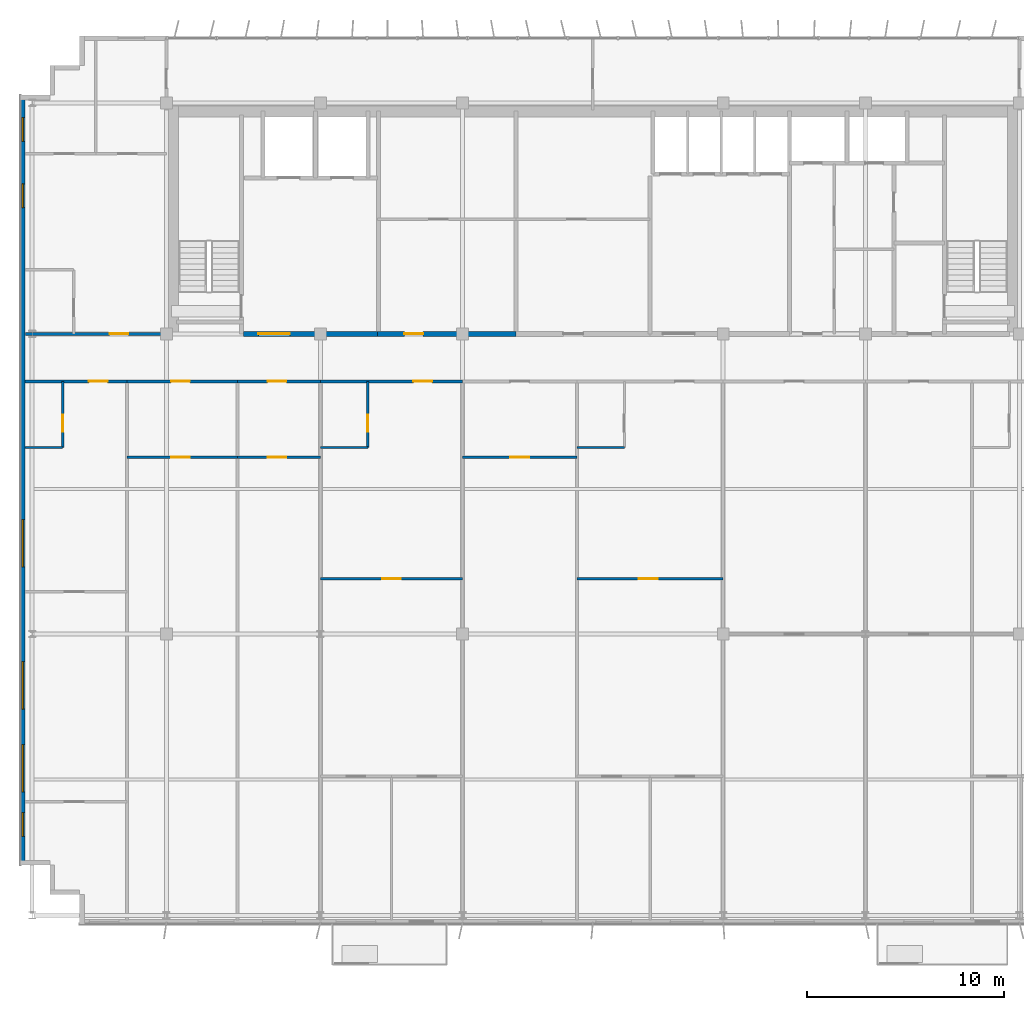
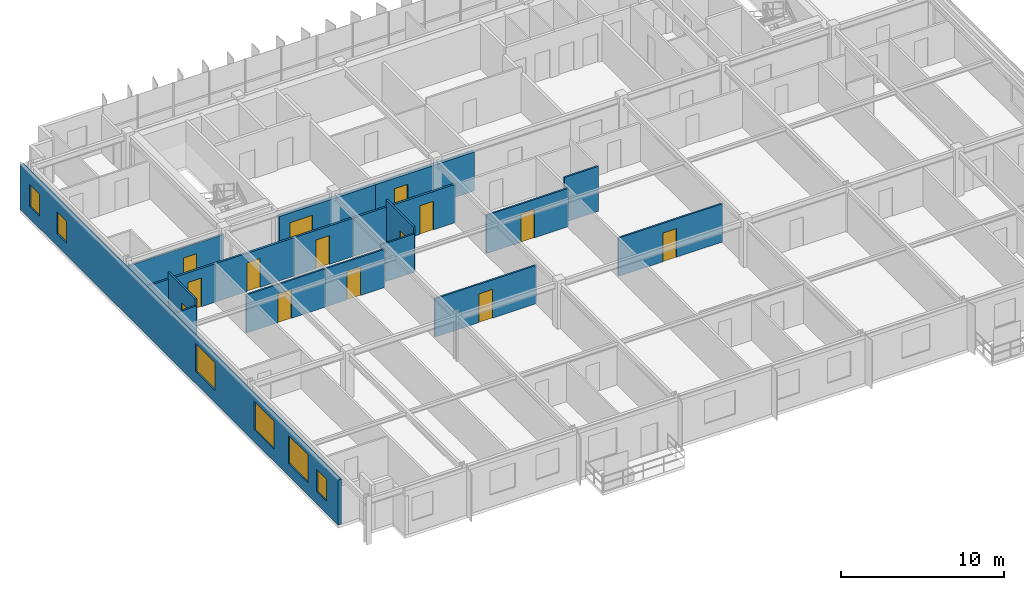
# One storey, part 17 of 23: 18 walls, 14 doors, 6 windows, 20 openings.
"""IFC4 building model written with IfcOpenShell, lengths in metres."""

from ifc_helpers import new_model, si_unit, direction, frame, frame_2d, origin, place, context, subcontext, project, spatial, rectangle, extrude, source, transform, mapped, material, layer, layer_set, type_object, element, fill, save


model = new_model("IFC4")

# Units and contexts
model_context = context("Model", 3, precision=1e-05, world=origin(), true_north=direction((0.0, 1.0)))
body_context = subcontext(model_context, "Body", "Model", "MODEL_VIEW")
ifc_project = project(units=[si_unit("LENGTHUNIT", "METRE"), si_unit("AREAUNIT", "SQUARE_METRE"), si_unit("VOLUMEUNIT", "CUBIC_METRE"), si_unit("PLANEANGLEUNIT", "RADIAN"), si_unit("MASSUNIT", "GRAM", prefix="KILO")], contexts=[model_context])

# Site, building, storey
site_placement = place(None, origin())
site = spatial("IfcSite", under=ifc_project, at=site_placement, CompositionType="ELEMENT")
building_placement = place(site_placement, origin())
building = spatial("IfcBuilding", under=site, at=building_placement, Name="Trelvane Seafront Commons", CompositionType="ELEMENT")
storey_placement = place(building_placement, frame((0.0, 0.0, 266.699951171875)))
storey = spatial("IfcBuildingStorey", under=building, at=storey_placement, Name="L69", CompositionType="ELEMENT", Elevation=266.699951171875)

# Wall, openings, windows
ifc_material_1 = material(Name="Precast concrete C40/50", Category="concrete")
ifc_layer_1 = layer(ifc_material_1, 0.239990234375, Name="ARCH-WALL-EXT240")
ifc_layer_set_1 = layer_set([ifc_layer_1], Name="Precast concrete C40/50")
wall_type_1 = type_object("IfcWallType", Name="ARCH-WALL-EXT240", PredefinedType="SOLIDWALL", material=ifc_layer_set_1)
wall_1_placement = place(storey_placement, frame((8.320068359375, 6.5, 0.0), z_axis=(0.0, 0.0, 1.0), x_axis=(0.0, 1.0, 0.0)))
wall_1 = element("IfcWall", 1, at=wall_1_placement, inside=storey, type_object=wall_type_1, Name="EW-L69-01387", PredefinedType="SOLIDWALL", context=body_context, shape_type="SweptSolid", body=[
    extrude(rectangle(XDim=39.0, YDim=0.239990234375, at=frame_2d((19.5, 0.0))), origin(), (0.0, 0.0, 1.0), 3.3701171875),
])
opening_1_placement = place(wall_1_placement, frame((1.449951171875, 0.0, 0.919921875)))
opening_1 = element("IfcOpeningElement", 2, at=opening_1_placement, cuts=wall_1, Name="Opening W05", PredefinedType="OPENING", context=body_context, shape_type="SweptSolid", body=[
    extrude(rectangle(XDim=1.199951171875, YDim=1.64990234375, at=frame_2d((0.60009765625, 0.824951171875))), frame((0.0, 0.1298828125, 0.0), z_axis=(0.0, -1.0, 0.0), x_axis=(1.0, 0.0, 0.0)), (0.0, 0.0, 1.0), 0.260009765625),
])
opening_2_placement = place(wall_1_placement, frame((3.699951171875, 0.0, 0.919921875)))
opening_2 = element("IfcOpeningElement", 3, at=opening_2_placement, cuts=wall_1, Name="Opening W08", PredefinedType="OPENING", context=body_context, shape_type="SweptSolid", body=[
    extrude(rectangle(XDim=2.39990234375, YDim=2.10009765625, at=frame_2d((1.199951171875, 1.050048828125))), frame((0.0, 0.1298828125, 0.0), z_axis=(0.0, -1.0, 0.0), x_axis=(1.0, 0.0, 0.0)), (0.0, 0.0, 1.0), 0.260009765625),
])
opening_3_placement = place(wall_1_placement, frame((7.89990234375, 0.0, 0.919921875)))
opening_3 = element("IfcOpeningElement", 4, at=opening_3_placement, cuts=wall_1, Name="Opening W08", PredefinedType="OPENING", context=body_context, shape_type="SweptSolid", body=[
    extrude(rectangle(XDim=2.39990234375, YDim=2.10009765625, at=frame_2d((1.199951171875, 1.050048828125))), frame((0.0, 0.1298828125, 0.0), z_axis=(0.0, -1.0, 0.0), x_axis=(1.0, 0.0, 0.0)), (0.0, 0.0, 1.0), 0.260009765625),
])
opening_4_placement = place(wall_1_placement, frame((15.10009765625, 0.0, 0.919921875)))
opening_4 = element("IfcOpeningElement", 5, at=opening_4_placement, cuts=wall_1, Name="Opening W08", PredefinedType="OPENING", context=body_context, shape_type="SweptSolid", body=[
    extrude(rectangle(XDim=2.39990234375, YDim=2.10009765625, at=frame_2d((1.199951171875, 1.050048828125))), frame((0.0, 0.1298828125, 0.0), z_axis=(0.0, -1.0, 0.0), x_axis=(1.0, 0.0, 0.0)), (0.0, 0.0, 1.0), 0.260009765625),
])
opening_5_placement = place(wall_1_placement, frame((33.300048828125, 0.0, 0.919921875)))
opening_5 = element("IfcOpeningElement", 6, at=opening_5_placement, cuts=wall_1, Name="Opening W05", PredefinedType="OPENING", context=body_context, shape_type="SweptSolid", body=[
    extrude(rectangle(XDim=1.199951171875, YDim=1.64990234375, at=frame_2d((0.60009765625, 0.824951171875))), frame((0.0, 0.1298828125, 0.0), z_axis=(0.0, -1.0, 0.0), x_axis=(1.0, 0.0, 0.0)), (0.0, 0.0, 1.0), 0.260009765625),
])
opening_6_placement = place(wall_1_placement, frame((36.64990234375, 0.0, 0.919921875)))
opening_6 = element("IfcOpeningElement", 7, at=opening_6_placement, cuts=wall_1, Name="Opening W05", PredefinedType="OPENING", context=body_context, shape_type="SweptSolid", body=[
    extrude(rectangle(XDim=1.199951171875, YDim=1.64990234375, at=frame_2d((0.60009765625, 0.824951171875))), frame((0.0, 0.1298828125, 0.0), z_axis=(0.0, -1.0, 0.0), x_axis=(1.0, 0.0, 0.0)), (0.0, 0.0, 1.0), 0.260009765625),
])
ifc_material_2 = material(Name="Low-E coastal double glazing", Category="glass")
window_type_1 = type_object("IfcWindowType", Name="ARCH-WIN-W08", PartitioningType="SINGLE_PANEL", PredefinedType="WINDOW", material=ifc_material_2)
shared_shape_1 = source(origin(), body_context, "Body", "SweptSolid", [
    extrude(rectangle(XDim=2.39990234375, YDim=2.10009765625, at=frame_2d((1.199951171875, 1.050048828125))), frame((0.0, 0.030029296875, 0.0), z_axis=(0.0, -1.0, 0.0), x_axis=(1.0, 0.0, 0.0)), (0.0, 0.0, 1.0), 0.06005859375),
])
window_1_placement = place(opening_2_placement, origin())
window_1 = element("IfcWindow", 8, at=window_1_placement, inside=storey, type_object=window_type_1, Name="WIN-L69-EW-01649", OverallHeight=2.10009765625, OverallWidth=2.39990234375, PartitioningType="SINGLE_PANEL", PredefinedType="WINDOW", context=body_context, shape_type="MappedRepresentation", body=[
    mapped(shared_shape_1, transform((0.0, 0.0, 0.0), x_axis=(1.0, 0.0, 0.0), y_axis=(0.0, 1.0, 0.0), z_axis=(0.0, 0.0, 1.0), scale=1.0)),
])
fill(opening_2, window_1)
window_2_placement = place(opening_3_placement, origin())
window_2 = element("IfcWindow", 9, at=window_2_placement, inside=storey, type_object=window_type_1, Name="WIN-L69-EW-01650", OverallHeight=2.10009765625, OverallWidth=2.39990234375, PartitioningType="SINGLE_PANEL", PredefinedType="WINDOW", context=body_context, shape_type="MappedRepresentation", body=[
    mapped(shared_shape_1, transform((0.0, 0.0, 0.0), x_axis=(1.0, 0.0, 0.0), y_axis=(0.0, 1.0, 0.0), z_axis=(0.0, 0.0, 1.0), scale=1.0)),
])
fill(opening_3, window_2)
window_3_placement = place(opening_4_placement, origin())
window_3 = element("IfcWindow", 10, at=window_3_placement, inside=storey, type_object=window_type_1, Name="WIN-L69-EW-01651", OverallHeight=2.10009765625, OverallWidth=2.39990234375, PartitioningType="SINGLE_PANEL", PredefinedType="WINDOW", context=body_context, shape_type="MappedRepresentation", body=[
    mapped(shared_shape_1, transform((0.0, 0.0, 0.0), x_axis=(1.0, 0.0, 0.0), y_axis=(0.0, 1.0, 0.0), z_axis=(0.0, 0.0, 1.0), scale=1.0)),
])
fill(opening_4, window_3)
window_type_2 = type_object("IfcWindowType", Name="ARCH-WIN-W05", PartitioningType="SINGLE_PANEL", PredefinedType="WINDOW", material=ifc_material_2)
shared_shape_2 = source(origin(), body_context, "Body", "SweptSolid", [
    extrude(rectangle(XDim=1.199951171875, YDim=1.64990234375, at=frame_2d((0.60009765625, 0.824951171875))), frame((0.0, 0.030029296875, 0.0), z_axis=(0.0, -1.0, 0.0), x_axis=(1.0, 0.0, 0.0)), (0.0, 0.0, 1.0), 0.06005859375),
])
window_4_placement = place(opening_1_placement, origin())
window_4 = element("IfcWindow", 11, at=window_4_placement, inside=storey, type_object=window_type_2, Name="WIN-L69-EW-01648", OverallHeight=1.64990234375, OverallWidth=1.199951171875, PartitioningType="SINGLE_PANEL", PredefinedType="WINDOW", context=body_context, shape_type="MappedRepresentation", body=[
    mapped(shared_shape_2, transform((0.0, 0.0, 0.0), x_axis=(1.0, 0.0, 0.0), y_axis=(0.0, 1.0, 0.0), z_axis=(0.0, 0.0, 1.0), scale=1.0)),
])
fill(opening_1, window_4)
window_5_placement = place(opening_5_placement, origin())
window_5 = element("IfcWindow", 12, at=window_5_placement, inside=storey, type_object=window_type_2, Name="WIN-L69-EW-01652", OverallHeight=1.64990234375, OverallWidth=1.199951171875, PartitioningType="SINGLE_PANEL", PredefinedType="WINDOW", context=body_context, shape_type="MappedRepresentation", body=[
    mapped(shared_shape_2, transform((0.0, 0.0, 0.0), x_axis=(1.0, 0.0, 0.0), y_axis=(0.0, 1.0, 0.0), z_axis=(0.0, 0.0, 1.0), scale=1.0)),
])
fill(opening_5, window_5)
window_6_placement = place(opening_6_placement, origin())
window_6 = element("IfcWindow", 13, at=window_6_placement, inside=storey, type_object=window_type_2, Name="WIN-L69-EW-01653", OverallHeight=1.64990234375, OverallWidth=1.199951171875, PartitioningType="SINGLE_PANEL", PredefinedType="WINDOW", context=body_context, shape_type="MappedRepresentation", body=[
    mapped(shared_shape_2, transform((0.0, 0.0, 0.0), x_axis=(1.0, 0.0, 0.0), y_axis=(0.0, 1.0, 0.0), z_axis=(0.0, 0.0, 1.0), scale=1.0)),
])
fill(opening_6, window_6)

# Wall, opening, door
ifc_material_3 = material(Name="Concrete C40/50", Category="concrete")
ifc_layer_2 = layer(ifc_material_3, 0.25, Name="ARCH-WALL-FIRE250")
ifc_layer_set_2 = layer_set([ifc_layer_2], Name="Concrete C40/50")
wall_type_2 = type_object("IfcWallType", Name="ARCH-WALL-FIRE250", PredefinedType="PARTITIONING", material=ifc_layer_set_2)
wall_2_placement = place(storey_placement, frame((19.5, 33.39990234375, 0.0), z_axis=(0.0, 0.0, 1.0), x_axis=(1.0, 0.0, 0.0)))
wall_2 = element("IfcWall", 14, at=wall_2_placement, inside=storey, type_object=wall_type_2, Name="W-L69-CS-FFL-013", PredefinedType="PARTITIONING", context=body_context, shape_type="SweptSolid", body=[
    extrude(rectangle(XDim=6.800048828125, YDim=0.25, at=frame_2d((3.39990234375, 0.0))), origin(), (0.0, 0.0, 1.0), 2.920166015625),
])
opening_7_placement = place(wall_2_placement, frame((0.75, 0.0, 0.0)))
opening_7 = element("IfcOpeningElement", 15, at=opening_7_placement, cuts=wall_2, Name="Opening FD-L69-05", PredefinedType="OPENING", context=body_context, shape_type="SweptSolid", body=[
    extrude(rectangle(XDim=1.60009765625, YDim=2.199951171875, at=frame_2d((0.800048828125, 1.10009765625))), frame((0.0, 0.135009765625, 0.0), z_axis=(0.0, -1.0, 0.0), x_axis=(1.0, 0.0, 0.0)), (0.0, 0.0, 1.0), 0.27001953125),
])
ifc_material_4 = material(Name="Powder-coated aluminium frame", Category="aluminium")
door_type_1 = type_object("IfcDoorType", Name="ARCH-DR-FD60-1600", OperationType="DOUBLE_DOOR_SINGLE_SWING", PredefinedType="DOOR", material=ifc_material_4)
shared_shape_3 = source(origin(), body_context, "Body", "SweptSolid", [
    extrude(rectangle(XDim=1.60009765625, YDim=2.199951171875, at=frame_2d((0.800048828125, 1.10009765625))), frame((0.0, 0.02490234375, 0.0), z_axis=(0.0, -1.0, 0.0), x_axis=(1.0, 0.0, 0.0)), (0.0, 0.0, 1.0), 0.050048828125),
])
door_1_placement = place(opening_7_placement, origin())
door_1 = element("IfcDoor", 16, at=door_1_placement, inside=storey, type_object=door_type_1, Name="L69 Firefighting Lift Lobby Double Fire Door", OperationType="DOUBLE_DOOR_SINGLE_SWING", OverallHeight=2.199951171875, OverallWidth=1.60009765625, PredefinedType="DOOR", context=body_context, shape_type="MappedRepresentation", body=[
    mapped(shared_shape_3, transform((0.0, 0.0, 0.0), x_axis=(1.0, 0.0, 0.0), y_axis=(0.0, 1.0, 0.0), z_axis=(0.0, 0.0, 1.0), scale=1.0)),
])
fill(opening_7, door_1)

wall_3_placement = place(storey_placement, frame((26.300048828125, 33.39990234375, 0.0), z_axis=(0.0, 0.0, 1.0), x_axis=(1.0, 0.0, 0.0)))
wall_3 = element("IfcWall", 17, at=wall_3_placement, inside=storey, type_object=wall_type_2, Name="W-L69-CS-FPL-024", PredefinedType="PARTITIONING", context=body_context, shape_type="SweptSolid", body=[
    extrude(rectangle(XDim=7.0, YDim=0.25, at=frame_2d((3.5, 0.0))), origin(), (0.0, 0.0, 1.0), 2.920166015625),
])
opening_8_placement = place(wall_3_placement, frame((1.35009765625, 0.0, 0.0)))
opening_8 = element("IfcOpeningElement", 18, at=opening_8_placement, cuts=wall_3, Name="Opening D-L69-12", PredefinedType="OPENING", context=body_context, shape_type="SweptSolid", body=[
    extrude(rectangle(XDim=0.949951171875, YDim=2.14990234375, at=frame_2d((0.47509765625, 1.074951171875))), frame((0.0, 0.135009765625, 0.0), z_axis=(0.0, -1.0, 0.0), x_axis=(1.0, 0.0, 0.0)), (0.0, 0.0, 1.0), 0.27001953125),
])
ifc_material_5 = material(Name="Acoustic timber door leaf", Category="wood")
door_type_2 = type_object("IfcDoorType", Name="ARCH-DR-INT950", OperationType="NOTDEFINED", PredefinedType="DOOR", material=ifc_material_5)
shared_shape_4 = source(origin(), body_context, "Body", "SweptSolid", [
    extrude(rectangle(XDim=0.949951171875, YDim=2.14990234375, at=frame_2d((0.47509765625, 1.074951171875))), frame((0.0, 0.02490234375, 0.0), z_axis=(0.0, -1.0, 0.0), x_axis=(1.0, 0.0, 0.0)), (0.0, 0.0, 1.0), 0.050048828125),
])
door_2_placement = place(opening_8_placement, origin())
door_2 = element("IfcDoor", 19, at=door_2_placement, inside=storey, type_object=door_type_2, Name="L69 Floor Pantry Entrance Door", OperationType="SINGLE_SWING_RIGHT", OverallHeight=2.14990234375, OverallWidth=0.949951171875, PredefinedType="DOOR", context=body_context, shape_type="MappedRepresentation", body=[
    mapped(shared_shape_4, transform((0.0, 0.0, 0.0), x_axis=(1.0, 0.0, 0.0), y_axis=(0.0, 1.0, 0.0), z_axis=(0.0, 0.0, 1.0), scale=1.0)),
])
fill(opening_8, door_2)

ifc_material_6 = material(Name="Gypsum Drywall Acoustic Partition")
ifc_layer_3 = layer(ifc_material_6, 0.1201171875, Name="ARCH-WALL-PART120")
ifc_layer_set_3 = layer_set([ifc_layer_3], Name="Gypsum Drywall Acoustic Partition")
wall_type_3 = type_object("IfcWallType", Name="ARCH-WALL-PART120", PredefinedType="PARTITIONING", material=ifc_layer_set_3)
wall_4_placement = place(storey_placement, frame((10.340087890625, 27.64990234375, 0.0), z_axis=(0.0, 0.0, 1.0), x_axis=(0.0, 1.0, 0.0)))
wall_4 = element("IfcWall", 20, at=wall_4_placement, inside=storey, type_object=wall_type_3, Name="W-L69-U1-BE-055", PredefinedType="PARTITIONING", context=body_context, shape_type="SweptSolid", body=[
    extrude(rectangle(XDim=3.35009765625, YDim=0.1201171875, at=frame_2d((1.675048828125, 0.0))), origin(), (0.0, 0.0, 1.0), 3.3701171875),
])
opening_9_placement = place(wall_4_placement, frame((0.800048828125, 0.0, 0.0)))
opening_9 = element("IfcOpeningElement", 21, at=opening_9_placement, cuts=wall_4, Name="Opening D-L69-31", PredefinedType="OPENING", context=body_context, shape_type="SweptSolid", body=[
    extrude(rectangle(XDim=0.85009765625, YDim=2.10009765625, at=frame_2d((0.425048828125, 1.050048828125))), frame((0.0, 0.070068359375, 0.0), z_axis=(0.0, -1.0, 0.0), x_axis=(1.0, 0.0, 0.0)), (0.0, 0.0, 1.0), 0.14013671875),
])
door_type_3 = type_object("IfcDoorType", Name="ARCH-DR-INT850", OperationType="NOTDEFINED", PredefinedType="DOOR", material=ifc_material_5)
shared_shape_5 = source(origin(), body_context, "Body", "SweptSolid", [
    extrude(rectangle(XDim=0.85009765625, YDim=2.10009765625, at=frame_2d((0.425048828125, 1.050048828125))), frame((0.0, 0.02490234375, 0.0), z_axis=(0.0, -1.0, 0.0), x_axis=(1.0, 0.0, 0.0)), (0.0, 0.0, 1.0), 0.050048828125),
])
door_3_placement = place(opening_9_placement, origin())
door_3 = element("IfcDoor", 22, at=door_3_placement, inside=storey, type_object=door_type_3, Name="L69 Door 31", OperationType="SINGLE_SWING_LEFT", OverallHeight=2.10009765625, OverallWidth=0.85009765625, PredefinedType="DOOR", context=body_context, shape_type="MappedRepresentation", body=[
    mapped(shared_shape_5, transform((0.0, 0.0, 0.0), x_axis=(1.0, 0.0, 0.0), y_axis=(0.0, 1.0, 0.0), z_axis=(0.0, 0.0, 1.0), scale=1.0)),
])
fill(opening_9, door_3)

# Wall
wall_5_placement = place(storey_placement, frame((8.43994140625, 27.64990234375, 0.0), z_axis=(0.0, 0.0, 1.0), x_axis=(1.0, 0.0, 0.0)))
element("IfcWall", 23, at=wall_5_placement, inside=storey, type_object=wall_type_3, Name="W-L69-U1-BS-056", PredefinedType="PARTITIONING", context=body_context, shape_type="SweptSolid", body=[
    extrude(rectangle(XDim=1.900146484375, YDim=0.1201171875, at=frame_2d((0.9501953125, 0.0))), origin(), (0.0, 0.0, 1.0), 2.8701171875),
])

# Wall, opening, door
wall_6_placement = place(storey_placement, frame((13.60009765625, 27.14990234375, 0.0), z_axis=(0.0, 0.0, 1.0), x_axis=(1.0, 0.0, 0.0)))
wall_6 = element("IfcWall", 24, at=wall_6_placement, inside=storey, type_object=wall_type_3, Name="W-L69-U2-DIV-060", PredefinedType="PARTITIONING", context=body_context, shape_type="SweptSolid", body=[
    extrude(rectangle(XDim=5.599853515625, YDim=0.1201171875, at=frame_2d((2.7998046875, 0.0))), origin(), (0.0, 0.0, 1.0), 2.8701171875),
])
opening_10_placement = place(wall_6_placement, frame((2.23193359375, 0.0, 0.0)))
opening_10 = element("IfcOpeningElement", 25, at=opening_10_placement, cuts=wall_6, Name="Opening D-L69-35", PredefinedType="OPENING", context=body_context, shape_type="SweptSolid", body=[
    extrude(rectangle(XDim=0.949951171875, YDim=2.14990234375, at=frame_2d((0.47509765625, 1.074951171875))), frame((0.0, 0.070068359375, 0.0), z_axis=(0.0, -1.0, 0.0), x_axis=(1.0, 0.0, 0.0)), (0.0, 0.0, 1.0), 0.14013671875),
])
door_4_placement = place(opening_10_placement, origin())
door_4 = element("IfcDoor", 26, at=door_4_placement, inside=storey, type_object=door_type_2, Name="L69 Door 35", OperationType="SINGLE_SWING_LEFT", OverallHeight=2.14990234375, OverallWidth=0.949951171875, PredefinedType="DOOR", context=body_context, shape_type="MappedRepresentation", body=[
    mapped(shared_shape_4, transform((0.0, 0.0, 0.0), x_axis=(1.0, 0.0, 0.0), y_axis=(0.0, 1.0, 0.0), z_axis=(0.0, 0.0, 1.0), scale=1.0)),
])
fill(opening_10, door_4)

wall_7_placement = place(storey_placement, frame((19.199951171875, 27.14990234375, 0.0), z_axis=(0.0, 0.0, 1.0), x_axis=(1.0, 0.0, 0.0)))
wall_7 = element("IfcWall", 27, at=wall_7_placement, inside=storey, type_object=wall_type_3, Name="W-L69-U3-DIV-062", PredefinedType="PARTITIONING", context=body_context, shape_type="SweptSolid", body=[
    extrude(rectangle(XDim=4.199951171875, YDim=0.1201171875, at=frame_2d((2.10009765625, 0.0))), origin(), (0.0, 0.0, 1.0), 2.8701171875),
])
opening_11_placement = place(wall_7_placement, frame((1.529052734375, 0.0, 0.0)))
opening_11 = element("IfcOpeningElement", 28, at=opening_11_placement, cuts=wall_7, Name="Opening D-L69-37", PredefinedType="OPENING", context=body_context, shape_type="SweptSolid", body=[
    extrude(rectangle(XDim=0.949951171875, YDim=2.14990234375, at=frame_2d((0.47509765625, 1.074951171875))), frame((0.0, 0.070068359375, 0.0), z_axis=(0.0, -1.0, 0.0), x_axis=(1.0, 0.0, 0.0)), (0.0, 0.0, 1.0), 0.14013671875),
])
door_5_placement = place(opening_11_placement, origin())
door_5 = element("IfcDoor", 29, at=door_5_placement, inside=storey, type_object=door_type_2, Name="L69 Door 37", OperationType="SINGLE_SWING_LEFT", OverallHeight=2.14990234375, OverallWidth=0.949951171875, PredefinedType="DOOR", context=body_context, shape_type="MappedRepresentation", body=[
    mapped(shared_shape_4, transform((0.0, 0.0, 0.0), x_axis=(1.0, 0.0, 0.0), y_axis=(0.0, 1.0, 0.0), z_axis=(0.0, 0.0, 1.0), scale=1.0)),
])
fill(opening_11, door_5)

wall_8_placement = place(storey_placement, frame((23.39990234375, 21.0, 0.0), z_axis=(0.0, 0.0, 1.0), x_axis=(1.0, 0.0, 0.0)))
wall_8 = element("IfcWall", 30, at=wall_8_placement, inside=storey, type_object=wall_type_3, Name="W-L69-U4-KL-063", PredefinedType="PARTITIONING", context=body_context, shape_type="SweptSolid", body=[
    extrude(rectangle(XDim=7.2001953125, YDim=0.1201171875, at=frame_2d((3.60009765625, 0.0))), origin(), (0.0, 0.0, 1.0), 2.8701171875),
])
opening_12_placement = place(wall_8_placement, frame((3.125, 0.0, 0.0)))
opening_12 = element("IfcOpeningElement", 31, at=opening_12_placement, cuts=wall_8, Name="Opening D-L69-38", PredefinedType="OPENING", context=body_context, shape_type="SweptSolid", body=[
    extrude(rectangle(XDim=0.949951171875, YDim=2.14990234375, at=frame_2d((0.47509765625, 1.074951171875))), frame((0.0, 0.070068359375, 0.0), z_axis=(0.0, -1.0, 0.0), x_axis=(1.0, 0.0, 0.0)), (0.0, 0.0, 1.0), 0.14013671875),
])
door_6_placement = place(opening_12_placement, origin())
door_6 = element("IfcDoor", 32, at=door_6_placement, inside=storey, type_object=door_type_2, Name="L69 Door 38", OperationType="SINGLE_SWING_RIGHT", OverallHeight=2.14990234375, OverallWidth=0.949951171875, PredefinedType="DOOR", context=body_context, shape_type="MappedRepresentation", body=[
    mapped(shared_shape_4, transform((0.0, 0.0, 0.0), x_axis=(1.0, 0.0, 0.0), y_axis=(0.0, 1.0, 0.0), z_axis=(0.0, 0.0, 1.0), scale=1.0)),
])
fill(opening_12, door_6)

wall_9_placement = place(storey_placement, frame((25.800048828125, 27.64990234375, 0.0), z_axis=(0.0, 0.0, 1.0), x_axis=(0.0, 1.0, 0.0)))
wall_9 = element("IfcWall", 33, at=wall_9_placement, inside=storey, type_object=wall_type_3, Name="W-L69-U4-BE-064", PredefinedType="PARTITIONING", context=body_context, shape_type="SweptSolid", body=[
    extrude(rectangle(XDim=3.35009765625, YDim=0.1201171875, at=frame_2d((1.675048828125, 0.0))), origin(), (0.0, 0.0, 1.0), 3.3701171875),
])
opening_13_placement = place(wall_9_placement, frame((0.800048828125, 0.0, 0.0)))
opening_13 = element("IfcOpeningElement", 34, at=opening_13_placement, cuts=wall_9, Name="Opening D-L69-39", PredefinedType="OPENING", context=body_context, shape_type="SweptSolid", body=[
    extrude(rectangle(XDim=0.85009765625, YDim=2.10009765625, at=frame_2d((0.425048828125, 1.050048828125))), frame((0.0, 0.070068359375, 0.0), z_axis=(0.0, -1.0, 0.0), x_axis=(1.0, 0.0, 0.0)), (0.0, 0.0, 1.0), 0.14013671875),
])
door_7_placement = place(opening_13_placement, origin())
door_7 = element("IfcDoor", 35, at=door_7_placement, inside=storey, type_object=door_type_3, Name="L69 Door 39", OperationType="SINGLE_SWING_LEFT", OverallHeight=2.10009765625, OverallWidth=0.85009765625, PredefinedType="DOOR", context=body_context, shape_type="MappedRepresentation", body=[
    mapped(shared_shape_5, transform((0.0, 0.0, 0.0), x_axis=(1.0, 0.0, 0.0), y_axis=(0.0, 1.0, 0.0), z_axis=(0.0, 0.0, 1.0), scale=1.0)),
])
fill(opening_13, door_7)

# Wall
wall_10_placement = place(storey_placement, frame((23.39990234375, 27.64990234375, 0.0), z_axis=(0.0, 0.0, 1.0), x_axis=(1.0, 0.0, 0.0)))
element("IfcWall", 36, at=wall_10_placement, inside=storey, type_object=wall_type_3, Name="W-L69-U4-BS-065", PredefinedType="PARTITIONING", context=body_context, shape_type="SweptSolid", body=[
    extrude(rectangle(XDim=2.400146484375, YDim=0.1201171875, at=frame_2d((1.2001953125, 0.0))), origin(), (0.0, 0.0, 1.0), 2.8701171875),
])

# Wall, opening, door
wall_11_placement = place(storey_placement, frame((30.60009765625, 27.14990234375, 0.0), z_axis=(0.0, 0.0, 1.0), x_axis=(1.0, 0.0, 0.0)))
wall_11 = element("IfcWall", 37, at=wall_11_placement, inside=storey, type_object=wall_type_3, Name="W-L69-U5-DIV-071", PredefinedType="PARTITIONING", context=body_context, shape_type="SweptSolid", body=[
    extrude(rectangle(XDim=5.7998046875, YDim=0.1201171875, at=frame_2d((2.89990234375, 0.0))), origin(), (0.0, 0.0, 1.0), 2.8701171875),
])
opening_14_placement = place(wall_11_placement, frame((2.425048828125, 0.0, 0.0)))
opening_14 = element("IfcOpeningElement", 38, at=opening_14_placement, cuts=wall_11, Name="Opening D-L69-44", PredefinedType="OPENING", context=body_context, shape_type="SweptSolid", body=[
    extrude(rectangle(XDim=0.949951171875, YDim=2.14990234375, at=frame_2d((0.47509765625, 1.074951171875))), frame((0.0, 0.070068359375, 0.0), z_axis=(0.0, -1.0, 0.0), x_axis=(1.0, 0.0, 0.0)), (0.0, 0.0, 1.0), 0.14013671875),
])
door_8_placement = place(opening_14_placement, origin())
door_8 = element("IfcDoor", 39, at=door_8_placement, inside=storey, type_object=door_type_2, Name="L69 Door 44", OperationType="SINGLE_SWING_RIGHT", OverallHeight=2.14990234375, OverallWidth=0.949951171875, PredefinedType="DOOR", context=body_context, shape_type="MappedRepresentation", body=[
    mapped(shared_shape_4, transform((0.0, 0.0, 0.0), x_axis=(1.0, 0.0, 0.0), y_axis=(0.0, 1.0, 0.0), z_axis=(0.0, 0.0, 1.0), scale=1.0)),
])
fill(opening_14, door_8)

wall_12_placement = place(storey_placement, frame((36.39990234375, 21.0, 0.0), z_axis=(0.0, 0.0, 1.0), x_axis=(1.0, 0.0, 0.0)))
wall_12 = element("IfcWall", 40, at=wall_12_placement, inside=storey, type_object=wall_type_3, Name="W-L69-U6-KL-072", PredefinedType="PARTITIONING", context=body_context, shape_type="SweptSolid", body=[
    extrude(rectangle(XDim=7.400146484375, YDim=0.1201171875, at=frame_2d((3.7001953125, 0.0))), origin(), (0.0, 0.0, 1.0), 2.8701171875),
])
opening_15_placement = place(wall_12_placement, frame((3.133056640625, 0.0, 0.0)))
opening_15 = element("IfcOpeningElement", 41, at=opening_15_placement, cuts=wall_12, Name="Opening D-L69-45", PredefinedType="OPENING", context=body_context, shape_type="SweptSolid", body=[
    extrude(rectangle(XDim=0.949951171875, YDim=2.14990234375, at=frame_2d((0.47509765625, 1.074951171875))), frame((0.0, 0.070068359375, 0.0), z_axis=(0.0, -1.0, 0.0), x_axis=(1.0, 0.0, 0.0)), (0.0, 0.0, 1.0), 0.14013671875),
])
door_9_placement = place(opening_15_placement, origin())
door_9 = element("IfcDoor", 42, at=door_9_placement, inside=storey, type_object=door_type_2, Name="L69 Door 45", OperationType="SINGLE_SWING_LEFT", OverallHeight=2.14990234375, OverallWidth=0.949951171875, PredefinedType="DOOR", context=body_context, shape_type="MappedRepresentation", body=[
    mapped(shared_shape_4, transform((0.0, 0.0, 0.0), x_axis=(1.0, 0.0, 0.0), y_axis=(0.0, 1.0, 0.0), z_axis=(0.0, 0.0, 1.0), scale=1.0)),
])
fill(opening_15, door_9)

# Wall
wall_13_placement = place(storey_placement, frame((36.39990234375, 27.64990234375, 0.0), z_axis=(0.0, 0.0, 1.0), x_axis=(1.0, 0.0, 0.0)))
element("IfcWall", 43, at=wall_13_placement, inside=storey, type_object=wall_type_3, Name="W-L69-U6-BS-074", PredefinedType="PARTITIONING", context=body_context, shape_type="SweptSolid", body=[
    extrude(rectangle(XDim=2.400146484375, YDim=0.1201171875, at=frame_2d((1.2001953125, 0.0))), origin(), (0.0, 0.0, 1.0), 3.3701171875),
])

# Wall, opening, door
ifc_layer_4 = layer(ifc_material_6, 0.14990234375, Name="ARCH-WALL-PART150")
ifc_layer_set_4 = layer_set([ifc_layer_4], Name="Gypsum Drywall Acoustic Partition")
wall_type_4 = type_object("IfcWallType", Name="ARCH-WALL-PART150", PredefinedType="PARTITIONING", material=ifc_layer_set_4)
wall_14_placement = place(storey_placement, frame((8.449951171875, 33.39990234375, 0.0), z_axis=(0.0, 0.0, 1.0), x_axis=(1.0, 0.0, 0.0)))
wall_14 = element("IfcWall", 44, at=wall_14_placement, inside=storey, type_object=wall_type_4, Name="W-L69-NW-ENT-040", PredefinedType="PARTITIONING", context=body_context, shape_type="SweptSolid", body=[
    extrude(rectangle(XDim=7.150146484375, YDim=0.14990234375, at=frame_2d((3.5751953125, 0.0))), origin(), (0.0, 0.0, 1.0), 2.920166015625),
])
opening_16_placement = place(wall_14_placement, frame((4.27001953125, 0.0, 0.0)))
opening_16 = element("IfcOpeningElement", 45, at=opening_16_placement, cuts=wall_14, Name="Opening FD-L69-25", PredefinedType="OPENING", context=body_context, shape_type="SweptSolid", body=[
    extrude(rectangle(XDim=0.949951171875, YDim=2.14990234375, at=frame_2d((0.47509765625, 1.074951171875))), frame((0.0, 0.0849609375, 0.0), z_axis=(0.0, -1.0, 0.0), x_axis=(1.0, 0.0, 0.0)), (0.0, 0.0, 1.0), 0.169921875),
])
door_type_4 = type_object("IfcDoorType", Name="ARCH-DR-FD60-950", OperationType="NOTDEFINED", PredefinedType="DOOR", material=ifc_material_4)
door_10_placement = place(opening_16_placement, origin())
door_10 = element("IfcDoor", 46, at=door_10_placement, inside=storey, type_object=door_type_4, Name="L69 NW Flat Entrance Door", OperationType="SINGLE_SWING_LEFT", OverallHeight=2.14990234375, OverallWidth=0.949951171875, PredefinedType="DOOR", context=body_context, shape_type="MappedRepresentation", body=[
    mapped(shared_shape_4, transform((0.0, 0.0, 0.0), x_axis=(1.0, 0.0, 0.0), y_axis=(0.0, 1.0, 0.0), z_axis=(0.0, 0.0, 1.0), scale=1.0)),
])
fill(opening_16, door_10)

wall_15_placement = place(storey_placement, frame((8.425048828125, 31.0, 0.0), z_axis=(0.0, 0.0, 1.0), x_axis=(1.0, 0.0, 0.0)))
wall_15 = element("IfcWall", 47, at=wall_15_placement, inside=storey, type_object=wall_type_4, Name="W-L69-CS-BAY-1-057", PredefinedType="PARTITIONING", context=body_context, shape_type="SweptSolid", body=[
    extrude(rectangle(XDim=5.175048828125, YDim=0.14990234375, at=frame_2d((2.58740234375, 0.0))), origin(), (0.0, 0.0, 1.0), 2.8701171875),
])
opening_17_placement = place(wall_15_placement, frame((3.243896484375, 0.0, 0.0)))
opening_17 = element("IfcOpeningElement", 48, at=opening_17_placement, cuts=wall_15, Name="Opening FD-L69-32", PredefinedType="OPENING", context=body_context, shape_type="SweptSolid", body=[
    extrude(rectangle(XDim=0.949951171875, YDim=2.14990234375, at=frame_2d((0.47509765625, 1.074951171875))), frame((0.0, 0.0849609375, 0.0), z_axis=(0.0, -1.0, 0.0), x_axis=(1.0, 0.0, 0.0)), (0.0, 0.0, 1.0), 0.169921875),
])
door_11_placement = place(opening_17_placement, origin())
door_11 = element("IfcDoor", 49, at=door_11_placement, inside=storey, type_object=door_type_4, Name="L69 Unit 01 Entrance Door", OperationType="SINGLE_SWING_RIGHT", OverallHeight=2.14990234375, OverallWidth=0.949951171875, PredefinedType="DOOR", context=body_context, shape_type="MappedRepresentation", body=[
    mapped(shared_shape_4, transform((0.0, 0.0, 0.0), x_axis=(1.0, 0.0, 0.0), y_axis=(0.0, 1.0, 0.0), z_axis=(0.0, 0.0, 1.0), scale=1.0)),
])
fill(opening_17, door_11)

wall_16_placement = place(storey_placement, frame((13.60009765625, 31.0, 0.0), z_axis=(0.0, 0.0, 1.0), x_axis=(1.0, 0.0, 0.0)))
wall_16 = element("IfcWall", 50, at=wall_16_placement, inside=storey, type_object=wall_type_4, Name="W-L69-CS-BAY-2-059", PredefinedType="PARTITIONING", context=body_context, shape_type="SweptSolid", body=[
    extrude(rectangle(XDim=5.599853515625, YDim=0.14990234375, at=frame_2d((2.7998046875, 0.0))), origin(), (0.0, 0.0, 1.0), 2.8701171875),
])
opening_18_placement = place(wall_16_placement, frame((2.23193359375, 0.0, 0.0)))
opening_18 = element("IfcOpeningElement", 51, at=opening_18_placement, cuts=wall_16, Name="Opening FD-L69-34", PredefinedType="OPENING", context=body_context, shape_type="SweptSolid", body=[
    extrude(rectangle(XDim=0.949951171875, YDim=2.14990234375, at=frame_2d((0.47509765625, 1.074951171875))), frame((0.0, 0.0849609375, 0.0), z_axis=(0.0, -1.0, 0.0), x_axis=(1.0, 0.0, 0.0)), (0.0, 0.0, 1.0), 0.169921875),
])
door_12_placement = place(opening_18_placement, origin())
door_12 = element("IfcDoor", 52, at=door_12_placement, inside=storey, type_object=door_type_4, Name="L69 Bay 02 Entrance Door", OperationType="SINGLE_SWING_RIGHT", OverallHeight=2.14990234375, OverallWidth=0.949951171875, PredefinedType="DOOR", context=body_context, shape_type="MappedRepresentation", body=[
    mapped(shared_shape_4, transform((0.0, 0.0, 0.0), x_axis=(1.0, 0.0, 0.0), y_axis=(0.0, 1.0, 0.0), z_axis=(0.0, 0.0, 1.0), scale=1.0)),
])
fill(opening_18, door_12)

wall_17_placement = place(storey_placement, frame((19.199951171875, 31.0, 0.0), z_axis=(0.0, 0.0, 1.0), x_axis=(1.0, 0.0, 0.0)))
wall_17 = element("IfcWall", 53, at=wall_17_placement, inside=storey, type_object=wall_type_4, Name="W-L69-CS-BAY-3-061", PredefinedType="PARTITIONING", context=body_context, shape_type="SweptSolid", body=[
    extrude(rectangle(XDim=4.199951171875, YDim=0.14990234375, at=frame_2d((2.10009765625, 0.0))), origin(), (0.0, 0.0, 1.0), 2.8701171875),
])
opening_19_placement = place(wall_17_placement, frame((1.529052734375, 0.0, 0.0)))
opening_19 = element("IfcOpeningElement", 54, at=opening_19_placement, cuts=wall_17, Name="Opening FD-L69-36", PredefinedType="OPENING", context=body_context, shape_type="SweptSolid", body=[
    extrude(rectangle(XDim=0.949951171875, YDim=2.14990234375, at=frame_2d((0.47509765625, 1.074951171875))), frame((0.0, 0.0849609375, 0.0), z_axis=(0.0, -1.0, 0.0), x_axis=(1.0, 0.0, 0.0)), (0.0, 0.0, 1.0), 0.169921875),
])
door_13_placement = place(opening_19_placement, origin())
door_13 = element("IfcDoor", 55, at=door_13_placement, inside=storey, type_object=door_type_4, Name="L69 Bay 03 Entrance Door", OperationType="SINGLE_SWING_RIGHT", OverallHeight=2.14990234375, OverallWidth=0.949951171875, PredefinedType="DOOR", context=body_context, shape_type="MappedRepresentation", body=[
    mapped(shared_shape_4, transform((0.0, 0.0, 0.0), x_axis=(1.0, 0.0, 0.0), y_axis=(0.0, 1.0, 0.0), z_axis=(0.0, 0.0, 1.0), scale=1.0)),
])
fill(opening_19, door_13)

wall_18_placement = place(storey_placement, frame((23.39990234375, 31.0, 0.0), z_axis=(0.0, 0.0, 1.0), x_axis=(1.0, 0.0, 0.0)))
wall_18 = element("IfcWall", 56, at=wall_18_placement, inside=storey, type_object=wall_type_4, Name="W-L69-CS-BAY-4-066", PredefinedType="PARTITIONING", context=body_context, shape_type="SweptSolid", body=[
    extrude(rectangle(XDim=7.2001953125, YDim=0.14990234375, at=frame_2d((3.60009765625, 0.0))), origin(), (0.0, 0.0, 1.0), 2.8701171875),
])
opening_20_placement = place(wall_18_placement, frame((4.7060546875, 0.0, 0.0)))
opening_20 = element("IfcOpeningElement", 57, at=opening_20_placement, cuts=wall_18, Name="Opening FD-L69-40", PredefinedType="OPENING", context=body_context, shape_type="SweptSolid", body=[
    extrude(rectangle(XDim=0.949951171875, YDim=2.14990234375, at=frame_2d((0.47509765625, 1.074951171875))), frame((0.0, 0.0849609375, 0.0), z_axis=(0.0, -1.0, 0.0), x_axis=(1.0, 0.0, 0.0)), (0.0, 0.0, 1.0), 0.169921875),
])
door_14_placement = place(opening_20_placement, origin())
door_14 = element("IfcDoor", 58, at=door_14_placement, inside=storey, type_object=door_type_4, Name="L69 Unit 04 Entrance Door", OperationType="SINGLE_SWING_RIGHT", OverallHeight=2.14990234375, OverallWidth=0.949951171875, PredefinedType="DOOR", context=body_context, shape_type="MappedRepresentation", body=[
    mapped(shared_shape_4, transform((0.0, 0.0, 0.0), x_axis=(1.0, 0.0, 0.0), y_axis=(0.0, 1.0, 0.0), z_axis=(0.0, 0.0, 1.0), scale=1.0)),
])
fill(opening_20, door_14)

save(model, "model.ifc")
